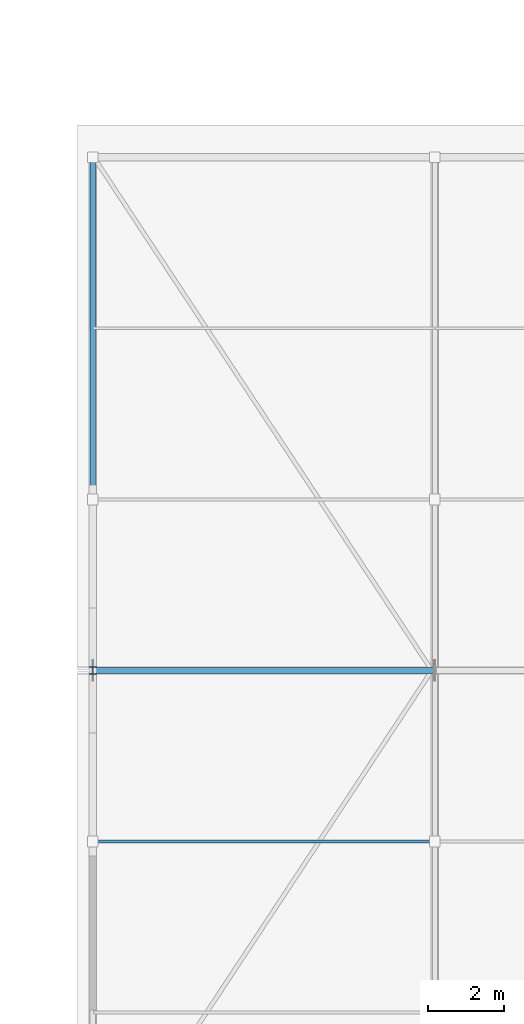
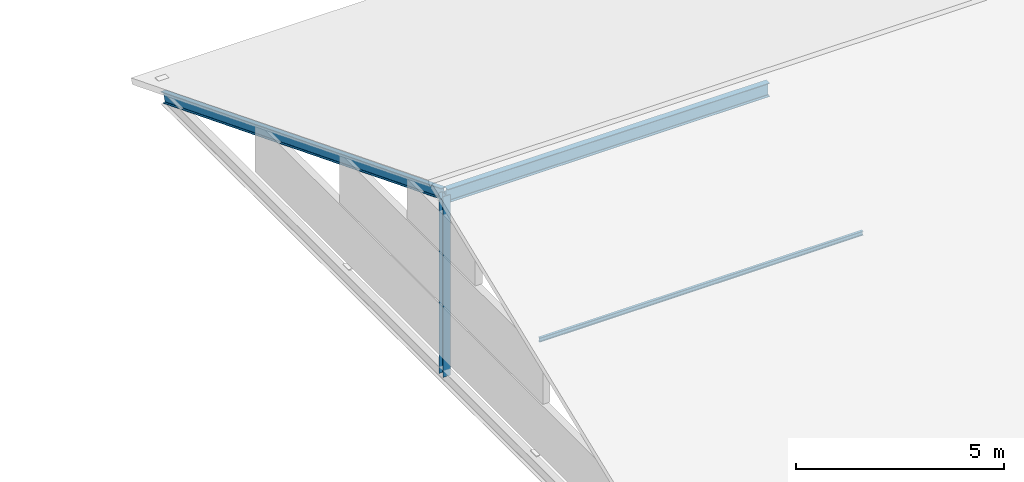
# One storey, part 64 of 132: 4 members.
"""IFC4 building model written with IfcOpenShell, lengths in metres."""

from ifc_helpers import new_model, si_unit, direction, frame, origin, origin_2d, place, context, subcontext, project, spatial, i_section, extrude, material, material_profile, profile_set, type_object, element, save


model = new_model("IFC4")

# Units and contexts
model_context = context("Model", 3, precision=1e-05, world=origin(), true_north=direction((0.0, 1.0)))
body_context = subcontext(model_context, "Body", "Model", "MODEL_VIEW")
ifc_project = project(units=[si_unit("LENGTHUNIT", "METRE"), si_unit("AREAUNIT", "SQUARE_METRE"), si_unit("VOLUMEUNIT", "CUBIC_METRE"), si_unit("PLANEANGLEUNIT", "RADIAN"), si_unit("MASSUNIT", "GRAM", prefix="KILO")], contexts=[model_context])

# Site, building, storey
site_placement = place(None, origin())
site = spatial("IfcSite", under=ifc_project, at=site_placement, CompositionType="ELEMENT")
building_placement = place(site_placement, origin())
building = spatial("IfcBuilding", under=site, at=building_placement, Name="Tharagai Park Tramway Depot", CompositionType="ELEMENT")
storey_placement = place(building_placement, frame((0.0, 0.0, 4.800048828125)))
storey = spatial("IfcBuildingStorey", under=building, at=storey_placement, Name="L01", CompositionType="ELEMENT", Elevation=4.800048828125)

# Members
ifc_material_1 = material(Name="Steel E350", Category="steel")
ifc_material_profile_1 = material_profile(ifc_material_1, i_section(OverallWidth=0.199951171875, OverallDepth=0.199951171875, WebThickness=0.0078125, FlangeThickness=0.009033203125, FilletRadius=0.009033203125, at=origin_2d()), Name="ISHB 200")
ifc_profile_set_1 = profile_set([ifc_material_profile_1], Name="Steel E350")
member_type_1 = type_object("IfcMemberType", Name="BR-10", PredefinedType="BRACE", material=ifc_profile_set_1)
member_1_placement = place(storey_placement, frame((171.0, 67.5, -0.449951171875), z_axis=(0.0, 0.0, 1.0), x_axis=(1.0, 0.0, 0.0)))
element("IfcMember", 1, at=member_1_placement, inside=storey, type_object=member_type_1, Name="V6 Gable King Strut BR-10", PredefinedType="BRACE", context=body_context, shape_type="SweptSolid", body=[
    extrude(i_section(OverallWidth=0.199951171875, OverallDepth=0.199951171875, WebThickness=0.0078125, FlangeThickness=0.009033203125, FilletRadius=0.009033203125, at=origin_2d()), origin(), (0.0, 0.0, 1.0), 5.2900390625),
])
ifc_material_2 = material(Name="Steel E250", Category="steel")
ifc_material_profile_2 = material_profile(ifc_material_2, i_section(OverallWidth=0.070068359375, OverallDepth=0.125, WebThickness=0.00439453125, FlangeThickness=0.007080078125, FilletRadius=0.008056640625, at=origin_2d()), Name="ISMB 125")
ifc_profile_set_2 = profile_set([ifc_material_profile_2], Name="Steel E250")
member_type_2 = type_object("IfcMemberType", Name="PR-06", PredefinedType="PURLIN", material=ifc_profile_set_2)
member_2_placement = place(storey_placement, frame((171.02001953125, 63.0, 3.284912109375), z_axis=(1.0, 0.0, 0.0), x_axis=(0.0, 1.0, 0.0)))
element("IfcMember", 2, at=member_2_placement, inside=storey, type_object=member_type_2, Name="V6 Roof Purlin PR-06", PredefinedType="PURLIN", context=body_context, shape_type="SweptSolid", body=[
    extrude(i_section(OverallWidth=0.070068359375, OverallDepth=0.125, WebThickness=0.00439453125, FlangeThickness=0.007080078125, FilletRadius=0.008056640625, at=origin_2d()), origin(), (0.0, 0.0, 1.0), 8.9599609375),
])
ifc_material_profile_3 = material_profile(ifc_material_1, i_section(OverallWidth=0.139892578125, OverallDepth=0.300048828125, WebThickness=0.0078125, FlangeThickness=0.01318359375, FilletRadius=0.013916015625, at=origin_2d()), Name="ISMB 300")
ifc_profile_set_3 = profile_set([ifc_material_profile_3], Name="Steel E350")
member_type_3 = type_object("IfcMemberType", Name="RF-02", PredefinedType="RAFTER", material=ifc_profile_set_3)
member_3_placement = place(storey_placement, frame((171.0, 67.5, 4.840087890625), z_axis=(0.0, 0.929950116334, -0.367685709717), x_axis=(-1.0, 0.0, 0.0)))
element("IfcMember", 3, at=member_3_placement, inside=storey, type_object=member_type_3, Name="V6 Pitched Rafter RF-02 North", PredefinedType="RAFTER", context=body_context, shape_type="SweptSolid", body=[
    extrude(i_section(OverallWidth=0.139892578125, OverallDepth=0.300048828125, WebThickness=0.0078125, FlangeThickness=0.01318359375, FilletRadius=0.013916015625, at=origin_2d()), origin(), (0.0, 0.0, 1.0), 14.463134765625),
])
ifc_material_profile_4 = material_profile(ifc_material_1, i_section(OverallWidth=0.1650390625, OverallDepth=0.39990234375, WebThickness=0.008056640625, FlangeThickness=0.012451171875, FilletRadius=0.013916015625, at=origin_2d()), Name="ISLB 400")
ifc_profile_set_4 = profile_set([ifc_material_profile_4], Name="Steel E350")
member_type_4 = type_object("IfcMemberType", Name="TC-04", PredefinedType="CHORD", material=ifc_profile_set_4)
member_4_placement = place(storey_placement, frame((171.0400390625, 67.5, 4.7900390625), z_axis=(1.0, 0.0, 0.0), x_axis=(0.0, 1.0, 0.0)))
element("IfcMember", 4, at=member_4_placement, inside=storey, type_object=member_type_4, Name="V6 Roof Ridge Chord TC-04", PredefinedType="CHORD", context=body_context, shape_type="SweptSolid", body=[
    extrude(i_section(OverallWidth=0.1650390625, OverallDepth=0.39990234375, WebThickness=0.008056640625, FlangeThickness=0.012451171875, FilletRadius=0.013916015625, at=origin_2d()), origin(), (0.0, 0.0, 1.0), 8.919921875),
])

save(model, "model.ifc")
